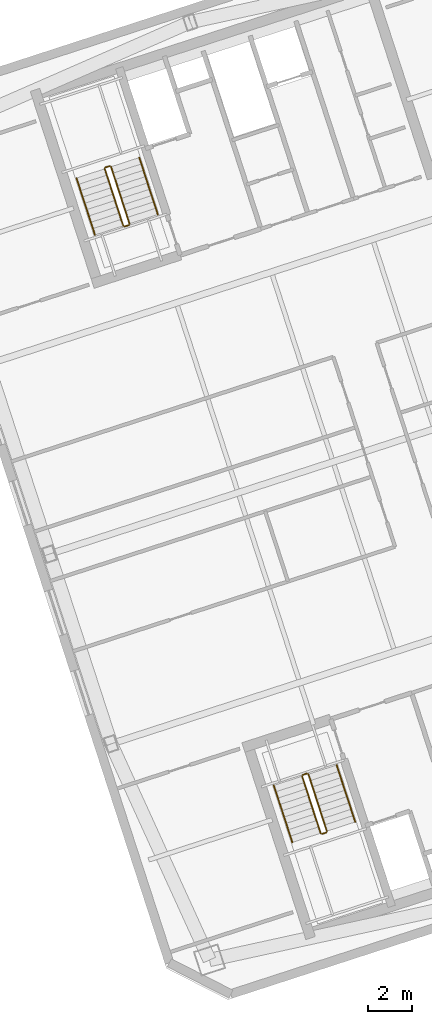
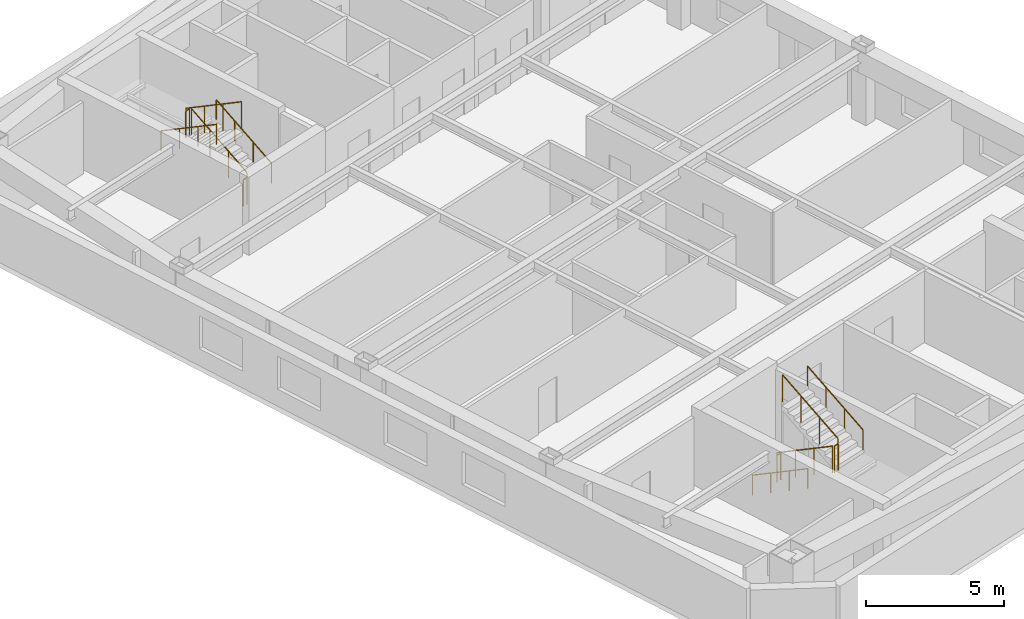
# One storey, part 20 of 20: 12 railings.
"""IFC4 building model written with IfcOpenShell, lengths in metres."""

from ifc_helpers import new_model, si_unit, direction, frame, origin, origin_2d, place, context, subcontext, project, spatial, circle, extrude, material, type_object, element, save


model = new_model("IFC4")

# Units and contexts
model_context = context("Model", 3, precision=1e-05, world=origin(), true_north=direction((0.0, 1.0)))
body_context = subcontext(model_context, "Body", "Model", "MODEL_VIEW")
ifc_project = project(units=[si_unit("LENGTHUNIT", "METRE"), si_unit("AREAUNIT", "SQUARE_METRE"), si_unit("VOLUMEUNIT", "CUBIC_METRE"), si_unit("PLANEANGLEUNIT", "RADIAN"), si_unit("MASSUNIT", "GRAM", prefix="KILO")], contexts=[model_context])

# Site, building, storey
site_placement = place(None, origin())
site = spatial("IfcSite", under=ifc_project, at=site_placement, CompositionType="ELEMENT")
building_placement = place(site_placement, origin())
building = spatial("IfcBuilding", under=site, at=building_placement, Name="Qiaolan Cultural Towers", CompositionType="ELEMENT")
storey_placement = place(building_placement, frame((0.0, 0.0, 223.10009765625)))
storey = spatial("IfcBuildingStorey", under=building, at=storey_placement, Name="L60", CompositionType="ELEMENT", Elevation=223.10009765625)

# Railings
ifc_material_1 = material(Name="Galvanized Painted Steel Stair Guardrail", Category="steel")
railing_type_1 = type_object("IfcRailingType", Name="RL-STAIR-GRD", PredefinedType="GUARDRAIL", material=ifc_material_1)
railing_1_placement = place(storey_placement, frame((88.60205078125, 19.82421875, 0.17236328125)))
element("IfcRailing", 1, at=railing_1_placement, inside=storey, type_object=railing_type_1, Name="L60 ST-E1 stair guard 1", PredefinedType="GUARDRAIL", context=body_context, shape_type="SweptSolid", body=[
    extrude(circle(Radius=0.02392578125, at=origin_2d()), frame((0.0, 0.0, 1.17578125), z_axis=(0.267925668498, -0.824471088726, 0.498460891159), x_axis=(0.951043371037, 0.309057448393, 0.0)), (0.0, 0.0, 1.0), 3.114501953125),
    extrude(circle(Radius=0.02099609375, at=origin_2d()), origin(), (0.0, 0.0, 1.0), 1.15185546875),
    extrude(circle(Radius=0.02099609375, at=origin_2d()), frame((0.278076171875, -0.85595703125, 0.517578125)), (0.0, 0.0, 1.0), 1.15185546875),
    extrude(circle(Radius=0.02099609375, at=origin_2d()), frame((0.556396484375, -1.7119140625, 1.034912109375)), (0.0, 0.0, 1.0), 1.15185546875),
    extrude(circle(Radius=0.02099609375, at=origin_2d()), frame((0.83447265625, -2.56787109375, 1.552490234375)), (0.0, 0.0, 1.0), 1.15185546875),
])
railing_2_placement = place(storey_placement, frame((89.49951171875, 17.224365234375, 1.724853515625)))
element("IfcRailing", 2, at=railing_2_placement, inside=storey, type_object=railing_type_1, Name="L60 ST-E1 stair guard 2", PredefinedType="GUARDRAIL", context=body_context, shape_type="SweptSolid", body=[
    extrude(circle(Radius=0.02392578125, at=origin_2d()), frame((0.0, 0.0, 1.17578125), z_axis=(0.951096855055, 0.308892816854, 0.0), x_axis=(-0.308892816854, 0.951096855055, 0.0)), (0.0, 0.0, 1.0), 0.199951171875),
    extrude(circle(Radius=0.02099609375, at=origin_2d()), origin(), (0.0, 0.0, 1.0), 1.15185546875),
    extrude(circle(Radius=0.02099609375, at=origin_2d()), frame((0.190185546875, 0.061767578125, 0.0)), (0.0, 0.0, 1.0), 1.15185546875),
])
railing_3_placement = place(storey_placement, frame((89.721923828125, 17.34912109375, 1.8974609375)))
element("IfcRailing", 3, at=railing_3_placement, inside=storey, type_object=railing_type_1, Name="L60 ST-E1 stair guard 3", PredefinedType="GUARDRAIL", context=body_context, shape_type="SweptSolid", body=[
    extrude(circle(Radius=0.02392578125, at=origin_2d()), frame((0.0, 0.0, 1.17578125), z_axis=(-0.267925668498, 0.824471088726, 0.498460891159), x_axis=(-0.951043371037, -0.309057448393, 0.0)), (0.0, 0.0, 1.0), 3.114501953125),
    extrude(circle(Radius=0.02099609375, at=origin_2d()), origin(), (0.0, 0.0, 1.0), 1.15185546875),
    extrude(circle(Radius=0.02099609375, at=origin_2d()), frame((-0.278076171875, 0.85595703125, 0.517578125)), (0.0, 0.0, 1.0), 1.15185546875),
    extrude(circle(Radius=0.02099609375, at=origin_2d()), frame((-0.556396484375, 1.7119140625, 1.034912109375)), (0.0, 0.0, 1.0), 1.15185546875),
    extrude(circle(Radius=0.02099609375, at=origin_2d()), frame((-0.83447265625, 2.56787109375, 1.552490234375)), (0.0, 0.0, 1.0), 1.15185546875),
])
railing_4_placement = place(storey_placement, frame((88.63427734375, 19.88720703125, 0.0)))
element("IfcRailing", 4, at=railing_4_placement, inside=storey, type_object=railing_type_1, Name="L60 ST-E1 stair guard 4", PredefinedType="GUARDRAIL", context=body_context, shape_type="SweptSolid", body=[
    extrude(circle(Radius=0.02392578125, at=origin_2d()), frame((0.0, 0.0, 1.17578125), z_axis=(0.951096855055, 0.308892816854, 0.0), x_axis=(-0.308892816854, 0.951096855055, 0.0)), (0.0, 0.0, 1.0), 0.199951171875),
    extrude(circle(Radius=0.02099609375, at=origin_2d()), origin(), (0.0, 0.0, 1.0), 1.15185546875),
    extrude(circle(Radius=0.02099609375, at=origin_2d()), frame((0.190185546875, 0.061767578125, 0.0)), (0.0, 0.0, 1.0), 1.15185546875),
])
railing_5_placement = place(storey_placement, frame((80.822021484375, 44.739501953125, 0.17236328125)))
element("IfcRailing", 5, at=railing_5_placement, inside=storey, type_object=railing_type_1, Name="L60 ST-E2 stair guard 1", PredefinedType="GUARDRAIL", context=body_context, shape_type="SweptSolid", body=[
    extrude(circle(Radius=0.02392578125, at=origin_2d()), frame((0.0, 0.0, 1.17578125), z_axis=(-0.26785290645, 0.824488402118, 0.498471358535), x_axis=(-0.951069945308, -0.308975661068, 0.0)), (0.0, 0.0, 1.0), 3.114501953125),
    extrude(circle(Radius=0.02099609375, at=origin_2d()), origin(), (0.0, 0.0, 1.0), 1.15185546875),
    extrude(circle(Radius=0.02099609375, at=origin_2d()), frame((-0.278076171875, 0.85595703125, 0.517578125)), (0.0, 0.0, 1.0), 1.15185546875),
    extrude(circle(Radius=0.02099609375, at=origin_2d()), frame((-0.55615234375, 1.7119140625, 1.034912109375)), (0.0, 0.0, 1.0), 1.15185546875),
    extrude(circle(Radius=0.02099609375, at=origin_2d()), frame((-0.834228515625, 2.56787109375, 1.552490234375)), (0.0, 0.0, 1.0), 1.15185546875),
])
railing_6_placement = place(storey_placement, frame((79.9248046875, 47.33935546875, 1.724853515625)))
element("IfcRailing", 6, at=railing_6_placement, inside=storey, type_object=railing_type_1, Name="L60 ST-E2 stair guard 2", PredefinedType="GUARDRAIL", context=body_context, shape_type="SweptSolid", body=[
    extrude(circle(Radius=0.02392578125, at=origin_2d()), frame((0.0, 0.0, 1.17578125), z_axis=(-0.951096855055, -0.308892816854, 0.0), x_axis=(0.308892816854, -0.951096855055, 0.0)), (0.0, 0.0, 1.0), 0.199951171875),
    extrude(circle(Radius=0.02099609375, at=origin_2d()), origin(), (0.0, 0.0, 1.0), 1.15185546875),
    extrude(circle(Radius=0.02099609375, at=origin_2d()), frame((-0.190185546875, -0.061767578125, 0.0)), (0.0, 0.0, 1.0), 1.15185546875),
])
railing_7_placement = place(storey_placement, frame((79.702392578125, 47.214599609375, 1.8974609375)))
element("IfcRailing", 7, at=railing_7_placement, inside=storey, type_object=railing_type_1, Name="L60 ST-E2 stair guard 3", PredefinedType="GUARDRAIL", context=body_context, shape_type="SweptSolid", body=[
    extrude(circle(Radius=0.02392578125, at=origin_2d()), frame((0.0, 0.0, 1.17578125), z_axis=(0.267925668498, -0.824471088726, 0.498460891159), x_axis=(0.951043371037, 0.309057448393, 0.0)), (0.0, 0.0, 1.0), 3.114501953125),
    extrude(circle(Radius=0.02099609375, at=origin_2d()), origin(), (0.0, 0.0, 1.0), 1.15185546875),
    extrude(circle(Radius=0.02099609375, at=origin_2d()), frame((0.278076171875, -0.85595703125, 0.517578125)), (0.0, 0.0, 1.0), 1.15185546875),
    extrude(circle(Radius=0.02099609375, at=origin_2d()), frame((0.556396484375, -1.7119140625, 1.034912109375)), (0.0, 0.0, 1.0), 1.15185546875),
    extrude(circle(Radius=0.02099609375, at=origin_2d()), frame((0.83447265625, -2.56787109375, 1.552490234375)), (0.0, 0.0, 1.0), 1.15185546875),
])
railing_8_placement = place(storey_placement, frame((80.7900390625, 44.676513671875, 0.0)))
element("IfcRailing", 8, at=railing_8_placement, inside=storey, type_object=railing_type_1, Name="L60 ST-E2 stair guard 4", PredefinedType="GUARDRAIL", context=body_context, shape_type="SweptSolid", body=[
    extrude(circle(Radius=0.02392578125, at=origin_2d()), frame((0.0, 0.0, 1.17578125), z_axis=(-0.951096855055, -0.308892816854, 0.0), x_axis=(0.308892816854, -0.951096855055, 0.0)), (0.0, 0.0, 1.0), 0.199951171875),
    extrude(circle(Radius=0.02099609375, at=origin_2d()), origin(), (0.0, 0.0, 1.0), 1.15185546875),
    extrude(circle(Radius=0.02099609375, at=origin_2d()), frame((-0.190185546875, -0.061767578125, 0.0)), (0.0, 0.0, 1.0), 1.15185546875),
])
ifc_material_2 = material(Name="Stainless Steel S30408 Tubular Handrail", Category="steel")
railing_type_2 = type_object("IfcRailingType", Name="RL-STAIR-HR", PredefinedType="HANDRAIL", material=ifc_material_2)
railing_9_placement = place(storey_placement, frame((87.32763671875, 19.41015625, 0.17236328125)))
element("IfcRailing", 9, at=railing_9_placement, inside=storey, type_object=railing_type_2, Name="L60 ST-E1 stair handrail 1", PredefinedType="HANDRAIL", context=body_context, shape_type="SweptSolid", body=[
    extrude(circle(Radius=0.02392578125, at=origin_2d()), frame((0.0, 0.0, 0.8759765625), z_axis=(0.267925668498, -0.824471088726, 0.498460891159), x_axis=(0.951043371037, 0.309057448393, 0.0)), (0.0, 0.0, 1.0), 3.114501953125),
    extrude(circle(Radius=0.02099609375, at=origin_2d()), origin(), (0.0, 0.0, 1.0), 0.851806640625),
    extrude(circle(Radius=0.02099609375, at=origin_2d()), frame((0.278076171875, -0.85595703125, 0.517578125)), (0.0, 0.0, 1.0), 0.851806640625),
    extrude(circle(Radius=0.02099609375, at=origin_2d()), frame((0.556396484375, -1.7119140625, 1.034912109375)), (0.0, 0.0, 1.0), 0.851806640625),
    extrude(circle(Radius=0.02099609375, at=origin_2d()), frame((0.83447265625, -2.56787109375, 1.552490234375)), (0.0, 0.0, 1.0), 0.851806640625),
])
railing_10_placement = place(storey_placement, frame((90.996337890625, 17.76318359375, 1.8974609375)))
element("IfcRailing", 10, at=railing_10_placement, inside=storey, type_object=railing_type_2, Name="L60 ST-E1 stair handrail 2", PredefinedType="HANDRAIL", context=body_context, shape_type="SweptSolid", body=[
    extrude(circle(Radius=0.02392578125, at=origin_2d()), frame((0.0, 0.0, 0.8759765625), z_axis=(-0.267925668498, 0.824471088726, 0.498460891159), x_axis=(-0.951043371037, -0.309057448393, 0.0)), (0.0, 0.0, 1.0), 3.114501953125),
    extrude(circle(Radius=0.02099609375, at=origin_2d()), origin(), (0.0, 0.0, 1.0), 0.851806640625),
    extrude(circle(Radius=0.02099609375, at=origin_2d()), frame((-0.278076171875, 0.85595703125, 0.517578125)), (0.0, 0.0, 1.0), 0.851806640625),
    extrude(circle(Radius=0.02099609375, at=origin_2d()), frame((-0.556396484375, 1.7119140625, 1.034912109375)), (0.0, 0.0, 1.0), 0.851806640625),
    extrude(circle(Radius=0.02099609375, at=origin_2d()), frame((-0.83447265625, 2.56787109375, 1.552490234375)), (0.0, 0.0, 1.0), 0.851806640625),
])
railing_11_placement = place(storey_placement, frame((82.096435546875, 45.153564453125, 0.17236328125)))
element("IfcRailing", 11, at=railing_11_placement, inside=storey, type_object=railing_type_2, Name="L60 ST-E2 stair handrail 1", PredefinedType="HANDRAIL", context=body_context, shape_type="SweptSolid", body=[
    extrude(circle(Radius=0.02392578125, at=origin_2d()), frame((0.0, 0.0, 0.8759765625), z_axis=(-0.26785290645, 0.824488402118, 0.498471358535), x_axis=(-0.951069945308, -0.308975661068, 0.0)), (0.0, 0.0, 1.0), 3.114501953125),
    extrude(circle(Radius=0.02099609375, at=origin_2d()), origin(), (0.0, 0.0, 1.0), 0.851806640625),
    extrude(circle(Radius=0.02099609375, at=origin_2d()), frame((-0.278076171875, 0.85595703125, 0.517578125)), (0.0, 0.0, 1.0), 0.851806640625),
    extrude(circle(Radius=0.02099609375, at=origin_2d()), frame((-0.55615234375, 1.7119140625, 1.034912109375)), (0.0, 0.0, 1.0), 0.851806640625),
    extrude(circle(Radius=0.02099609375, at=origin_2d()), frame((-0.834228515625, 2.56787109375, 1.552490234375)), (0.0, 0.0, 1.0), 0.851806640625),
])
railing_12_placement = place(storey_placement, frame((78.427978515625, 46.800537109375, 1.8974609375)))
element("IfcRailing", 12, at=railing_12_placement, inside=storey, type_object=railing_type_2, Name="L60 ST-E2 stair handrail 2", PredefinedType="HANDRAIL", context=body_context, shape_type="SweptSolid", body=[
    extrude(circle(Radius=0.02392578125, at=origin_2d()), frame((0.0, 0.0, 0.8759765625), z_axis=(0.267925668498, -0.824471088726, 0.498460891159), x_axis=(0.951043371037, 0.309057448393, 0.0)), (0.0, 0.0, 1.0), 3.114501953125),
    extrude(circle(Radius=0.02099609375, at=origin_2d()), origin(), (0.0, 0.0, 1.0), 0.851806640625),
    extrude(circle(Radius=0.02099609375, at=origin_2d()), frame((0.278076171875, -0.85595703125, 0.517578125)), (0.0, 0.0, 1.0), 0.851806640625),
    extrude(circle(Radius=0.02099609375, at=origin_2d()), frame((0.556396484375, -1.7119140625, 1.034912109375)), (0.0, 0.0, 1.0), 0.851806640625),
    extrude(circle(Radius=0.02099609375, at=origin_2d()), frame((0.83447265625, -2.56787109375, 1.552490234375)), (0.0, 0.0, 1.0), 0.851806640625),
])

save(model, "model.ifc")
